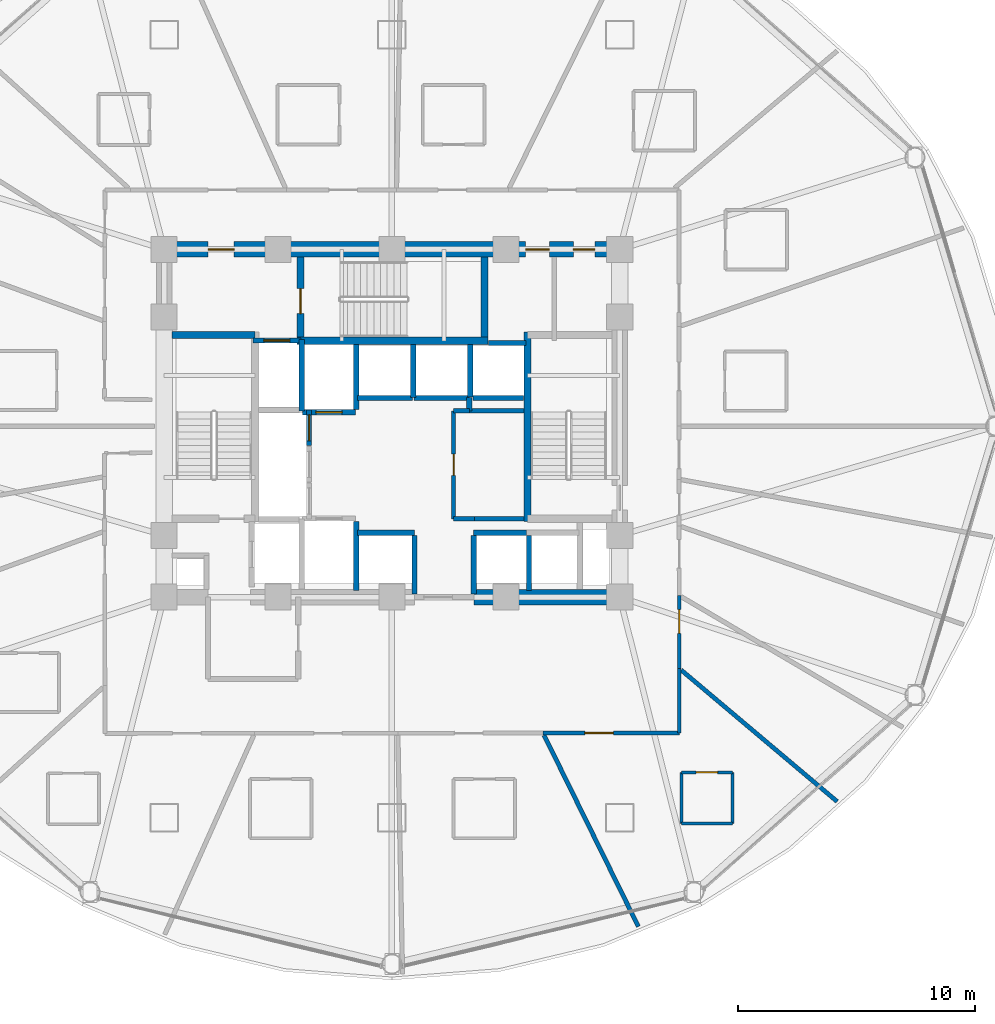
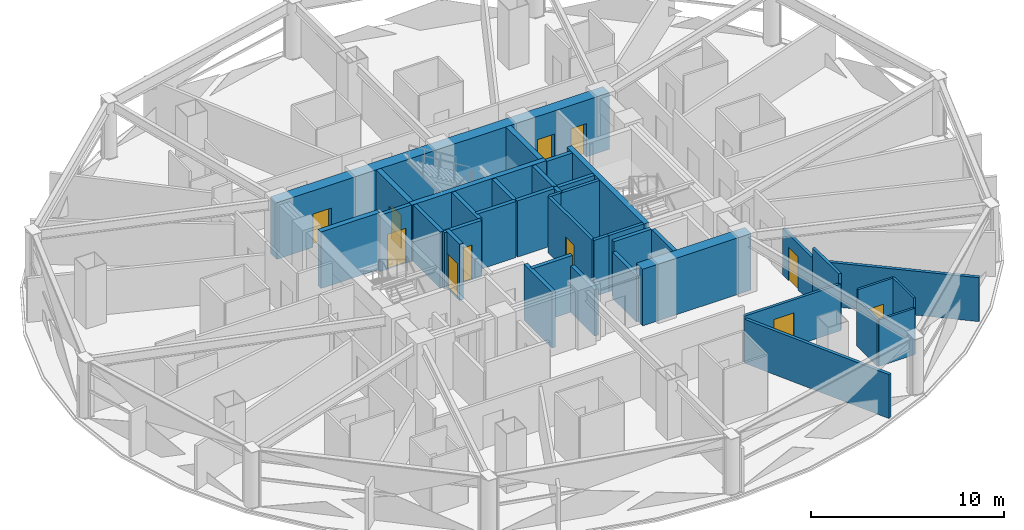
# One storey, part 25 of 31: 39 walls, 11 doors, 11 openings.
"""IFC4 building model written with IfcOpenShell, lengths in metres."""

from ifc_helpers import new_model, si_unit, direction, frame, frame_2d, origin, place, context, subcontext, project, spatial, rectangle, extrude, material, layer, layer_set, type_object, element, fill, save


model = new_model("IFC4")

# Units and contexts
model_context = context("Model", 3, precision=1e-05, world=origin(), true_north=direction((0.0, 1.0)))
body_context = subcontext(model_context, "Body", "Model", "MODEL_VIEW")
ifc_project = project(units=[si_unit("LENGTHUNIT", "METRE"), si_unit("AREAUNIT", "SQUARE_METRE"), si_unit("VOLUMEUNIT", "CUBIC_METRE"), si_unit("PLANEANGLEUNIT", "RADIAN"), si_unit("MASSUNIT", "GRAM", prefix="KILO")], contexts=[model_context])

# Site, building, storey
site_placement = place(None, origin())
site = spatial("IfcSite", under=ifc_project, at=site_placement, CompositionType="ELEMENT")
building_placement = place(site_placement, origin())
building = spatial("IfcBuilding", under=site, at=building_placement, Name="Vantalir Tower", CompositionType="ELEMENT")
storey_placement = place(building_placement, frame((0.0, 0.0, 30.75)))
storey = spatial("IfcBuildingStorey", under=building, at=storey_placement, Name="L06", CompositionType="ELEMENT", Elevation=30.75)

# Wall
ifc_material_1 = material(Name="Moisture-resistant en-suite partition", Category="gypsum")
ifc_layer_1 = layer(ifc_material_1, 0.125)
ifc_layer_set_1 = layer_set([ifc_layer_1], Name="Moisture-resistant en-suite partition")
wall_type_1 = type_object("IfcWallType", Name="WL-BATH-125", PredefinedType="PARTITIONING", material=ifc_layer_set_1)
wall_1_placement = place(storey_placement, frame((43.697021484375, 8.262939453125, 0.0), z_axis=(0.0, 0.0, 1.0), x_axis=(1.0, 0.0, 0.0)))
element("IfcWall", 1, at=wall_1_placement, inside=storey, type_object=wall_type_1, Name="L06 En-suite 16 South Wall", PredefinedType="PARTITIONING", context=body_context, shape_type="SweptSolid", body=[
    extrude(rectangle(XDim=2.14990234375, YDim=0.125, at=frame_2d((1.074951171875, 0.0))), origin(), (0.0, 0.0, 1.0), 2.927978515625),
])

# Wall, opening, door
wall_2_placement = place(storey_placement, frame((43.697021484375, 10.4130859375, 0.0), z_axis=(0.0, 0.0, 1.0), x_axis=(1.0, 0.0, 0.0)))
wall_2 = element("IfcWall", 2, at=wall_2_placement, inside=storey, type_object=wall_type_1, Name="L06 En-suite 16 North Wall", PredefinedType="PARTITIONING", context=body_context, shape_type="SweptSolid", body=[
    extrude(rectangle(XDim=2.14990234375, YDim=0.125, at=frame_2d((1.074951171875, 0.0))), origin(), (0.0, 0.0, 1.0), 3.550048828125),
])
opening_1_placement = place(wall_2_placement, frame((0.625, 0.0, 0.0)))
opening_1 = element("IfcOpeningElement", 3, at=opening_1_placement, cuts=wall_2, Name="Opening D-WC", PredefinedType="OPENING", context=body_context, shape_type="SweptSolid", body=[
    extrude(rectangle(XDim=0.89990234375, YDim=2.10009765625, at=frame_2d((0.449951171875, 1.050048828125))), frame((0.0, 0.072509765625, 0.0), z_axis=(0.0, -1.0, 0.0), x_axis=(1.0, 0.0, 0.0)), (0.0, 0.0, 1.0), 0.14501953125),
])
ifc_material_2 = material(Name="Moisture-resistant hardwood door", Category="wood")
door_type_1 = type_object("IfcDoorType", Name="DR-ENSUITE-900", OperationType="NOTDEFINED", PredefinedType="DOOR", material=ifc_material_2)
door_1_placement = place(opening_1_placement, frame((0.89990234375, 0.0, 0.0), z_axis=(0.0, 0.0, 1.0), x_axis=(-1.0, 0.0, 0.0)))
door_1 = element("IfcDoor", 4, at=door_1_placement, inside=storey, type_object=door_type_1, Name="L06 En-suite 16 Door", OperationType="SINGLE_SWING_LEFT", OverallHeight=2.10009765625, OverallWidth=0.89990234375, PredefinedType="DOOR", context=body_context, shape_type="SweptSolid", body=[
    extrude(rectangle(XDim=0.89990234375, YDim=2.10009765625, at=frame_2d((0.449951171875, 1.050048828125))), frame((0.0, 0.02490234375, 0.0), z_axis=(0.0, -1.0, 0.0), x_axis=(1.0, 0.0, 0.0)), (0.0, 0.0, 1.0), 0.050048828125),
])
fill(opening_1, door_1)

# Walls
wall_3_placement = place(storey_placement, frame((43.697021484375, 8.262939453125, 0.0), z_axis=(0.0, 0.0, 1.0), x_axis=(0.0, 1.0, 0.0)))
element("IfcWall", 5, at=wall_3_placement, inside=storey, type_object=wall_type_1, Name="L06 En-suite 16 West Wall", PredefinedType="PARTITIONING", context=body_context, shape_type="SweptSolid", body=[
    extrude(rectangle(XDim=2.150146484375, YDim=0.125, at=frame_2d((1.0751953125, 0.0))), origin(), (0.0, 0.0, 1.0), 2.927978515625),
])
wall_4_placement = place(storey_placement, frame((45.846923828125, 8.262939453125, 0.0), z_axis=(0.0, 0.0, 1.0), x_axis=(0.0, 1.0, 0.0)))
element("IfcWall", 6, at=wall_4_placement, inside=storey, type_object=wall_type_1, Name="L06 En-suite 16 East Wall", PredefinedType="PARTITIONING", context=body_context, shape_type="SweptSolid", body=[
    extrude(rectangle(XDim=2.150146484375, YDim=0.125, at=frame_2d((1.0751953125, 0.0))), origin(), (0.0, 0.0, 1.0), 3.550048828125),
])
ifc_material_3 = material(Name="Concrete C60/75", Category="concrete")
ifc_layer_2 = layer(ifc_material_3, 0.64990234375)
ifc_layer_set_2 = layer_set([ifc_layer_2], Name="Concrete C60/75")
wall_type_2 = type_object("IfcWallType", Name="WL-CORE-650", PredefinedType="SHEAR", material=ifc_layer_set_2)
wall_5_placement = place(storey_placement, frame((34.949951171875, 17.800048828125, 0.0), z_axis=(0.0, 0.0, 1.0), x_axis=(1.0, 0.0, 0.0)))
element("IfcWall", 7, at=wall_5_placement, inside=storey, type_object=wall_type_2, Name="L06 Core Shear Wall South-East", PredefinedType="SHEAR", context=body_context, shape_type="SweptSolid", body=[
    extrude(rectangle(XDim=6.47509765625, YDim=0.64990234375, at=frame_2d((3.237548828125, 0.0))), origin(), (0.0, 0.0, 1.0), 3.570068359375),
])

# Wall, openings, doors
wall_6_placement = place(storey_placement, frame((21.574951171875, 32.449951171875, 0.0), z_axis=(0.0, 0.0, 1.0), x_axis=(1.0, 0.0, 0.0)))
wall_6 = element("IfcWall", 8, at=wall_6_placement, inside=storey, type_object=wall_type_2, Name="L06 Core Shear Wall North", PredefinedType="SHEAR", context=body_context, shape_type="SweptSolid", body=[
    extrude(rectangle(XDim=19.85009765625, YDim=0.64990234375, at=frame_2d((9.925048828125, 0.0))), origin(), (0.0, 0.0, 1.0), 3.570068359375),
])
opening_2_placement = place(wall_6_placement, frame((2.175048828125, 0.0, 0.0)))
opening_2 = element("IfcOpeningElement", 9, at=opening_2_placement, cuts=wall_6, Name="Opening D-FFL", PredefinedType="OPENING", context=body_context, shape_type="SweptSolid", body=[
    extrude(rectangle(XDim=1.10009765625, YDim=2.10009765625, at=frame_2d((0.550048828125, 1.050048828125))), frame((0.0, 0.3349609375, 0.0), z_axis=(0.0, -1.0, 0.0), x_axis=(1.0, 0.0, 0.0)), (0.0, 0.0, 1.0), 0.669921875),
])
opening_3_placement = place(wall_6_placement, frame((15.56494140625, 0.0, 0.0)))
opening_3 = element("IfcOpeningElement", 10, at=opening_3_placement, cuts=wall_6, Name="Opening D-GUEST", PredefinedType="OPENING", context=body_context, shape_type="SweptSolid", body=[
    extrude(rectangle(XDim=1.0, YDim=2.10009765625, at=frame_2d((0.5, 1.050048828125))), frame((0.0, 0.3349609375, 0.0), z_axis=(0.0, -1.0, 0.0), x_axis=(1.0, 0.0, 0.0)), (0.0, 0.0, 1.0), 0.669921875),
])
opening_4_placement = place(wall_6_placement, frame((17.574951171875, 0.0, 0.0)))
opening_4 = element("IfcOpeningElement", 11, at=opening_4_placement, cuts=wall_6, Name="Opening D-CR", PredefinedType="OPENING", context=body_context, shape_type="SweptSolid", body=[
    extrude(rectangle(XDim=0.89990234375, YDim=2.10009765625, at=frame_2d((0.449951171875, 1.050048828125))), frame((0.0, 0.3349609375, 0.0), z_axis=(0.0, -1.0, 0.0), x_axis=(1.0, 0.0, 0.0)), (0.0, 0.0, 1.0), 0.669921875),
])
ifc_material_4 = material(Name="Fire-rated steel core service door", Category="steel")
door_type_2 = type_object("IfcDoorType", Name="DR-CORE-SERV-900", OperationType="NOTDEFINED", PredefinedType="DOOR", material=ifc_material_4)
door_2_placement = place(opening_4_placement, frame((0.89990234375, 0.0, 0.0), z_axis=(0.0, 0.0, 1.0), x_axis=(-1.0, 0.0, 0.0)))
door_2 = element("IfcDoor", 12, at=door_2_placement, inside=storey, type_object=door_type_2, Name="L06 Housekeeping and Linen Room Door", OperationType="SINGLE_SWING_RIGHT", OverallHeight=2.10009765625, OverallWidth=0.89990234375, PredefinedType="DOOR", context=body_context, shape_type="SweptSolid", body=[
    extrude(rectangle(XDim=0.89990234375, YDim=2.10009765625, at=frame_2d((0.449951171875, 1.050048828125))), frame((0.0, 0.02490234375, 0.0), z_axis=(0.0, -1.0, 0.0), x_axis=(1.0, 0.0, 0.0)), (0.0, 0.0, 1.0), 0.050048828125),
])
fill(opening_4, door_2)
ifc_material_5 = material(Name="Fire-rated acoustic steel door", Category="steel")
door_type_3 = type_object("IfcDoorType", Name="DR-FIRE-LOBBY-1100", OperationType="NOTDEFINED", PredefinedType="DOOR", material=ifc_material_5)
door_3_placement = place(opening_2_placement, frame((1.10009765625, 0.0, 0.0), z_axis=(0.0, 0.0, 1.0), x_axis=(-1.0, 0.0, 0.0)))
door_3 = element("IfcDoor", 13, at=door_3_placement, inside=storey, type_object=door_type_3, Name="L06 Firefighting Lobby East Access Door", OperationType="SINGLE_SWING_RIGHT", OverallHeight=2.10009765625, OverallWidth=1.10009765625, PredefinedType="DOOR", context=body_context, shape_type="SweptSolid", body=[
    extrude(rectangle(XDim=1.10009765625, YDim=2.10009765625, at=frame_2d((0.550048828125, 1.050048828125))), frame((0.0, 0.02490234375, 0.0), z_axis=(0.0, -1.0, 0.0), x_axis=(1.0, 0.0, 0.0)), (0.0, 0.0, 1.0), 0.050048828125),
])
fill(opening_2, door_3)
ifc_material_6 = material(Name="Solid-core teak veneer acoustic fire door", Category="wood")
door_type_4 = type_object("IfcDoorType", Name="DR-GUEST-ENTRY-1000", OperationType="NOTDEFINED", PredefinedType="DOOR", material=ifc_material_6)
door_4_placement = place(opening_3_placement, frame((1.0, 0.0, 0.0), z_axis=(0.0, 0.0, 1.0), x_axis=(-1.0, 0.0, 0.0)))
door_4 = element("IfcDoor", 14, at=door_4_placement, inside=storey, type_object=door_type_4, Name="L06 High-Rise Lift Lobby Door", OperationType="SINGLE_SWING_LEFT", OverallHeight=2.10009765625, OverallWidth=1.0, PredefinedType="DOOR", context=body_context, shape_type="SweptSolid", body=[
    extrude(rectangle(XDim=1.0, YDim=2.10009765625, at=frame_2d((0.5, 1.050048828125))), frame((0.0, 0.02490234375, 0.0), z_axis=(0.0, -1.0, 0.0), x_axis=(1.0, 0.0, 0.0)), (0.0, 0.0, 1.0), 0.050048828125),
])
fill(opening_3, door_4)

# Wall, opening, door
ifc_material_7 = material(Name="Fire-rated hotel corridor acoustic partition", Category="gypsum")
ifc_layer_3 = layer(ifc_material_7, 0.159912109375)
ifc_layer_set_3 = layer_set([ifc_layer_3], Name="Fire-rated hotel corridor acoustic partition")
wall_type_3 = type_object("IfcWallType", Name="WL-CORR-160", PredefinedType="PARTITIONING", material=ifc_layer_set_3)
wall_7_placement = place(storey_placement, frame((43.60595703125, 17.865966796875, 0.0), z_axis=(0.0, 0.0, 1.0), x_axis=(0.00063557626, -0.999999798021, 0.0)))
wall_7 = element("IfcWall", 15, at=wall_7_placement, inside=storey, type_object=wall_type_3, Name="L06 Corridor Partition 15", PredefinedType="PARTITIONING", context=body_context, shape_type="SweptSolid", body=[
    extrude(rectangle(XDim=3.072998046875, YDim=0.159912109375, at=frame_2d((1.53662109375, 0.0))), origin(), (0.0, 0.0, 1.0), 2.927978515625),
])
opening_5_placement = place(wall_7_placement, frame((0.597900390625, 0.0, 0.0)))
opening_5 = element("IfcOpeningElement", 16, at=opening_5_placement, cuts=wall_7, Name="Opening D-GUEST", PredefinedType="OPENING", context=body_context, shape_type="SweptSolid", body=[
    extrude(rectangle(XDim=1.0, YDim=2.10009765625, at=frame_2d((0.5, 1.050048828125))), frame((0.0, 0.08984375, 0.0), z_axis=(0.0, -1.0, 0.0), x_axis=(1.0, 0.0, 0.0)), (0.0, 0.0, 1.0), 0.179931640625),
])
door_5_placement = place(opening_5_placement, origin())
door_5 = element("IfcDoor", 17, at=door_5_placement, inside=storey, type_object=door_type_4, Name="L06 Executive Business Study 17 Door", OperationType="SINGLE_SWING_LEFT", OverallHeight=2.10009765625, OverallWidth=1.0, PredefinedType="DOOR", context=body_context, shape_type="SweptSolid", body=[
    extrude(rectangle(XDim=1.0, YDim=2.10009765625, at=frame_2d((0.5, 1.050048828125))), frame((0.0, 0.02490234375, 0.0), z_axis=(0.0, -1.0, 0.0), x_axis=(1.0, 0.0, 0.0)), (0.0, 0.0, 1.0), 0.050048828125),
])
fill(opening_5, door_5)

# Wall
wall_8_placement = place(storey_placement, frame((43.60791015625, 14.79296875, 0.0), z_axis=(0.0, 0.0, 1.0), x_axis=(0.000807247024, -0.999999674176, 0.0)))
element("IfcWall", 18, at=wall_8_placement, inside=storey, type_object=wall_type_3, Name="L06 Corridor Partition 16", PredefinedType="PARTITIONING", context=body_context, shape_type="SweptSolid", body=[
    extrude(rectangle(XDim=2.721923828125, YDim=0.159912109375, at=frame_2d((1.36083984375, 0.0))), origin(), (0.0, 0.0, 1.0), 3.550048828125),
])

# Wall, opening, door
wall_9_placement = place(storey_placement, frame((43.610107421875, 12.071044921875, 0.0), z_axis=(0.0, 0.0, 1.0), x_axis=(-0.999999738588, -0.00072306561, 0.0)))
wall_9 = element("IfcWall", 19, at=wall_9_placement, inside=storey, type_object=wall_type_3, Name="L06 Corridor Partition 17", PredefinedType="PARTITIONING", context=body_context, shape_type="SweptSolid", body=[
    extrude(rectangle(XDim=5.739990234375, YDim=0.159912109375, at=frame_2d((2.8701171875, 0.0))), origin(), (0.0, 0.0, 1.0), 2.927978515625),
])
opening_6_placement = place(wall_9_placement, frame((2.779052734375, 0.0, 0.0)))
opening_6 = element("IfcOpeningElement", 20, at=opening_6_placement, cuts=wall_9, Name="Opening D-STE", PredefinedType="OPENING", context=body_context, shape_type="SweptSolid", body=[
    extrude(rectangle(XDim=1.199951171875, YDim=2.10009765625, at=frame_2d((0.60009765625, 1.050048828125))), frame((0.0, 0.08984375, 0.0), z_axis=(0.0, -1.0, 0.0), x_axis=(1.0, 0.0, 0.0)), (0.0, 0.0, 1.0), 0.179931640625),
])
ifc_material_8 = material(Name="Solid-core teak veneer suite entrance door", Category="wood")
door_type_5 = type_object("IfcDoorType", Name="DR-SUITE-ENTRY-1200", OperationType="NOTDEFINED", PredefinedType="DOOR", material=ifc_material_8)
door_6_placement = place(opening_6_placement, origin())
door_6 = element("IfcDoor", 21, at=door_6_placement, inside=storey, type_object=door_type_5, Name="L06 Executive Club Hotel Suite 16 Door", OperationType="SINGLE_SWING_RIGHT", OverallHeight=2.10009765625, OverallWidth=1.199951171875, PredefinedType="DOOR", context=body_context, shape_type="SweptSolid", body=[
    extrude(rectangle(XDim=1.199951171875, YDim=2.10009765625, at=frame_2d((0.60009765625, 1.050048828125))), frame((0.0, 0.02490234375, 0.0), z_axis=(0.0, -1.0, 0.0), x_axis=(1.0, 0.0, 0.0)), (0.0, 0.0, 1.0), 0.050048828125),
])
fill(opening_6, door_6)

# Walls
ifc_material_9 = material(Name="Concrete blockwork with fireboard lining", Category="masonry")
ifc_layer_4 = layer(ifc_material_9, 0.219970703125)
ifc_layer_set_4 = layer_set([ifc_layer_4], Name="Concrete blockwork with fireboard lining")
wall_type_4 = type_object("IfcWallType", Name="WL-FFL-220", PredefinedType="PARTITIONING", material=ifc_layer_set_4)
wall_10_placement = place(storey_placement, frame((30.0, 18.080078125, 0.0), z_axis=(0.0, 0.0, 1.0), x_axis=(0.0, 1.0, 0.0)))
element("IfcWall", 22, at=wall_10_placement, inside=storey, type_object=wall_type_4, Name="L06 Service Lift SV1 East Shaft Wall", PredefinedType="PARTITIONING", context=body_context, shape_type="SweptSolid", body=[
    extrude(rectangle(XDim=2.89990234375, YDim=0.219970703125, at=frame_2d((1.449951171875, 0.0))), origin(), (0.0, 0.0, 1.0), 3.544921875),
])
for number, where, z_axis, x_axis, name in (
    (23, (32.449951171875, 17.919921875, 0.0), (0.0, 0.0, 1.0), (0.0, 1.0, 0.0), "L06 Shuttle Lift PL-X1 East Shaft Cheek"),
    (24, (34.949951171875, 17.919921875, 0.0), (0.0, 0.0, 1.0), (0.0, 1.0, 0.0), "L06 Shuttle Lift PL-X3 West Shaft Cheek"),
):
    element("IfcWall", number, at=place(storey_placement, frame(where, z_axis=z_axis, x_axis=x_axis)), inside=storey, type_object=wall_type_4, Name=name, PredefinedType="PARTITIONING", context=body_context, shape_type="SweptSolid", body=[
        extrude(rectangle(XDim=2.469970703125, YDim=0.219970703125, at=frame_2d((1.23486328125, 0.0))), origin(), (0.0, 0.0, 1.0), 2.927978515625),
    ])
wall_11_placement = place(storey_placement, frame((37.27490234375, 18.080078125, 0.0), z_axis=(0.0, 0.0, 1.0), x_axis=(0.0, 1.0, 0.0)))
element("IfcWall", 25, at=wall_11_placement, inside=storey, type_object=wall_type_4, Name="L06 Shuttle Lift PL-X2/X3 Shaft Divider", PredefinedType="PARTITIONING", context=body_context, shape_type="SweptSolid", body=[
    extrude(rectangle(XDim=2.309814453125, YDim=0.219970703125, at=frame_2d((1.15478515625, 0.0))), origin(), (0.0, 0.0, 1.0), 3.544921875),
])
wall_12_placement = place(storey_placement, frame((30.0, 25.7099609375, 0.0), z_axis=(0.0, 0.0, 1.0), x_axis=(0.0, 1.0, 0.0)))
element("IfcWall", 26, at=wall_12_placement, inside=storey, type_object=wall_type_4, Name="L06 Service Lift SV2 East Shaft Wall", PredefinedType="PARTITIONING", context=body_context, shape_type="SweptSolid", body=[
    extrude(rectangle(XDim=2.72998046875, YDim=0.219970703125, at=frame_2d((1.364990234375, 0.0))), origin(), (0.0, 0.0, 1.0), 3.544921875),
])
wall_13_placement = place(storey_placement, frame((32.39990234375, 26.199951171875, 0.0), z_axis=(0.0, 0.0, 1.0), x_axis=(0.0, 1.0, 0.0)))
element("IfcWall", 27, at=wall_13_placement, inside=storey, type_object=wall_type_4, Name="L06 High-Rise Lift PL-H1/H2 Shaft Divider", PredefinedType="PARTITIONING", context=body_context, shape_type="SweptSolid", body=[
    extrude(rectangle(XDim=2.239990234375, YDim=0.219970703125, at=frame_2d((1.1201171875, 0.0))), origin(), (0.0, 0.0, 1.0), 3.544921875),
])
wall_14_placement = place(storey_placement, frame((34.800048828125, 26.22998046875, 0.0), z_axis=(0.0, 0.0, 1.0), x_axis=(0.0, 1.0, 0.0)))
element("IfcWall", 28, at=wall_14_placement, inside=storey, type_object=wall_type_4, Name="L06 High-Rise Lift PL-H2/H3 Shaft Divider", PredefinedType="PARTITIONING", context=body_context, shape_type="SweptSolid", body=[
    extrude(rectangle(XDim=2.2099609375, YDim=0.219970703125, at=frame_2d((1.10498046875, 0.0))), origin(), (0.0, 0.0, 1.0), 3.544921875),
])
wall_15_placement = place(storey_placement, frame((34.909912109375, 26.18994140625, 0.0), z_axis=(0.0, 0.0, 1.0), x_axis=(1.0, 0.0, 0.0)))
element("IfcWall", 29, at=wall_15_placement, inside=storey, type_object=wall_type_4, Name="L06 High-Rise Lift PL-H3 Rear Shaft Wall", PredefinedType="PARTITIONING", context=body_context, shape_type="SweptSolid", body=[
    extrude(rectangle(XDim=2.14013671875, YDim=0.219970703125, at=frame_2d((1.070068359375, 0.0))), origin(), (0.0, 0.0, 1.0), 3.544921875),
])

# Wall, opening, door
wall_16_placement = place(storey_placement, frame((25.639892578125, 28.610107421875, 0.0), z_axis=(0.0, 0.0, 1.0), x_axis=(1.0, 0.0, 0.0)))
wall_16 = element("IfcWall", 30, at=wall_16_placement, inside=storey, type_object=wall_type_4, Name="L06 Lift FL2 Shaft Front Wall", PredefinedType="PARTITIONING", context=body_context, shape_type="SweptSolid", body=[
    extrude(rectangle(XDim=2.02001953125, YDim=0.219970703125, at=frame_2d((1.010009765625, 0.0))), origin(), (0.0, 0.0, 1.0), 3.550048828125),
])
opening_7_placement = place(wall_16_placement, frame((0.4599609375, 0.0, 0.0)))
opening_7 = element("IfcOpeningElement", 31, at=opening_7_placement, cuts=wall_16, Name="Opening LD-FL2", PredefinedType="OPENING", context=body_context, shape_type="SweptSolid", body=[
    extrude(rectangle(XDim=1.10009765625, YDim=2.199951171875, at=frame_2d((0.550048828125, 1.10009765625))), frame((0.0, 0.119873046875, 0.0), z_axis=(0.0, -1.0, 0.0), x_axis=(1.0, 0.0, 0.0)), (0.0, 0.0, 1.0), 0.239990234375),
])
ifc_material_10 = material(Name="Brushed stainless-steel sliding lift landing door", Category="steel")
door_type_6 = type_object("IfcDoorType", Name="DR-LIFT-LANDING-1100", OperationType="DOUBLE_DOOR_SLIDING", PredefinedType="DOOR", material=ifc_material_10)
door_7_placement = place(opening_7_placement, origin())
door_7 = element("IfcDoor", 32, at=door_7_placement, inside=storey, type_object=door_type_6, Name="L06 Lift Landing Door FL2", OperationType="DOUBLE_DOOR_SLIDING", OverallHeight=2.199951171875, OverallWidth=1.10009765625, PredefinedType="DOOR", context=body_context, shape_type="SweptSolid", body=[
    extrude(rectangle(XDim=1.10009765625, YDim=2.199951171875, at=frame_2d((0.550048828125, 1.10009765625))), frame((0.0, 0.02490234375, 0.0), z_axis=(0.0, -1.0, 0.0), x_axis=(1.0, 0.0, 0.0)), (0.0, 0.0, 1.0), 0.050048828125),
])
fill(opening_7, door_7)

wall_17_placement = place(storey_placement, frame((27.739990234375, 25.590087890625, 0.0), z_axis=(0.0, 0.0, 1.0), x_axis=(1.0, 0.0, 0.0)))
wall_17 = element("IfcWall", 33, at=wall_17_placement, inside=storey, type_object=wall_type_4, Name="L06 Lift SV2 Shaft Front Wall", PredefinedType="PARTITIONING", context=body_context, shape_type="SweptSolid", body=[
    extrude(rectangle(XDim=2.219970703125, YDim=0.219970703125, at=frame_2d((1.10986328125, 0.0))), origin(), (0.0, 0.0, 1.0), 3.550048828125),
])
opening_8_placement = place(wall_17_placement, frame((0.56005859375, 0.0, 0.0)))
opening_8 = element("IfcOpeningElement", 34, at=opening_8_placement, cuts=wall_17, Name="Opening LD-SV2", PredefinedType="OPENING", context=body_context, shape_type="SweptSolid", body=[
    extrude(rectangle(XDim=1.10009765625, YDim=2.199951171875, at=frame_2d((0.550048828125, 1.10009765625))), frame((0.0, 0.119873046875, 0.0), z_axis=(0.0, -1.0, 0.0), x_axis=(1.0, 0.0, 0.0)), (0.0, 0.0, 1.0), 0.239990234375),
])
door_8_placement = place(opening_8_placement, frame((1.10009765625, 0.0, 0.0), z_axis=(0.0, 0.0, 1.0), x_axis=(-1.0, 0.0, 0.0)))
door_8 = element("IfcDoor", 35, at=door_8_placement, inside=storey, type_object=door_type_6, Name="L06 Lift Landing Door SV2", OperationType="DOUBLE_DOOR_SLIDING", OverallHeight=2.199951171875, OverallWidth=1.10009765625, PredefinedType="DOOR", context=body_context, shape_type="SweptSolid", body=[
    extrude(rectangle(XDim=1.10009765625, YDim=2.199951171875, at=frame_2d((0.550048828125, 1.10009765625))), frame((0.0, 0.02490234375, 0.0), z_axis=(0.0, -1.0, 0.0), x_axis=(1.0, 0.0, 0.0)), (0.0, 0.0, 1.0), 0.050048828125),
])
fill(opening_8, door_8)

# Walls
wall_18_placement = place(storey_placement, frame((30.0400390625, 20.510009765625, 0.0), z_axis=(0.0, 0.0, 1.0), x_axis=(1.0, 0.0, 0.0)))
element("IfcWall", 36, at=wall_18_placement, inside=storey, type_object=wall_type_4, Name="L06 Lift PL-X1 Shaft Front Wall", PredefinedType="PARTITIONING", context=body_context, shape_type="SweptSolid", body=[
    extrude(rectangle(XDim=2.419921875, YDim=0.219970703125, at=frame_2d((1.2099609375, 0.0))), origin(), (0.0, 0.0, 1.0), 3.550048828125),
])
wall_19_placement = place(storey_placement, frame((34.93994140625, 20.510009765625, 0.0), z_axis=(0.0, 0.0, 1.0), x_axis=(1.0, 0.0, 0.0)))
element("IfcWall", 37, at=wall_19_placement, inside=storey, type_object=wall_type_4, Name="L06 Lift PL-X3 Shaft Front Wall", PredefinedType="PARTITIONING", context=body_context, shape_type="SweptSolid", body=[
    extrude(rectangle(XDim=2.239990234375, YDim=0.219970703125, at=frame_2d((1.1201171875, 0.0))), origin(), (0.0, 0.0, 1.0), 3.550048828125),
])
for number, where, z_axis, x_axis, name in (
    (38, (30.0400390625, 26.18994140625, 0.0), (0.0, 0.0, 1.0), (1.0, 0.0, 0.0), "L06 Lift PL-H1 Shaft Front Wall"),
    (39, (32.43994140625, 26.18994140625, 0.0), (0.0, 0.0, 1.0), (1.0, 0.0, 0.0), "L06 Lift PL-H2 Shaft Front Wall"),
):
    element("IfcWall", number, at=place(storey_placement, frame(where, z_axis=z_axis, x_axis=x_axis)), inside=storey, type_object=wall_type_4, Name=name, PredefinedType="PARTITIONING", context=body_context, shape_type="SweptSolid", body=[
        extrude(rectangle(XDim=2.320068359375, YDim=0.219970703125, at=frame_2d((1.16015625, 0.0))), origin(), (0.0, 0.0, 1.0), 3.550048828125),
    ])
wall_20_placement = place(storey_placement, frame((35.56005859375, 28.510009765625, 0.0), z_axis=(0.0, 0.0, 1.0), x_axis=(1.0, 0.0, 0.0)))
element("IfcWall", 40, at=wall_20_placement, inside=storey, type_object=wall_type_4, Name="L06 Lift PL-H3 Shaft Front Wall", PredefinedType="PARTITIONING", context=body_context, shape_type="SweptSolid", body=[
    extrude(rectangle(XDim=1.599853515625, YDim=0.219970703125, at=frame_2d((0.7998046875, 0.0))), origin(), (0.0, 0.0, 1.0), 3.550048828125),
])

# Wall, opening, door
wall_21_placement = place(storey_placement, frame((28.010009765625, 24.179931640625, 0.0), z_axis=(0.0, 0.0, 1.0), x_axis=(0.0, 1.0, 0.0)))
wall_21 = element("IfcWall", 41, at=wall_21_placement, inside=storey, type_object=wall_type_4, Name="L06 Lift PL-L3 Shaft Front Wall", PredefinedType="PARTITIONING", context=body_context, shape_type="SweptSolid", body=[
    extrude(rectangle(XDim=1.5, YDim=0.219970703125, at=frame_2d((0.75, 0.0))), origin(), (0.0, 0.0, 1.0), 3.550048828125),
])
opening_9_placement = place(wall_21_placement, frame((0.199951171875, 0.0, 0.0)))
opening_9 = element("IfcOpeningElement", 42, at=opening_9_placement, cuts=wall_21, Name="Opening LD-PL-L3", PredefinedType="OPENING", context=body_context, shape_type="SweptSolid", body=[
    extrude(rectangle(XDim=1.10009765625, YDim=2.199951171875, at=frame_2d((0.550048828125, 1.10009765625))), frame((0.0, 0.119873046875, 0.0), z_axis=(0.0, -1.0, 0.0), x_axis=(1.0, 0.0, 0.0)), (0.0, 0.0, 1.0), 0.239990234375),
])
door_9_placement = place(opening_9_placement, frame((1.10009765625, 0.0, 0.0), z_axis=(0.0, 0.0, 1.0), x_axis=(-1.0, 0.0, 0.0)))
door_9 = element("IfcDoor", 43, at=door_9_placement, inside=storey, type_object=door_type_6, Name="L06 Lift Landing Door PL-L3", OperationType="DOUBLE_DOOR_SLIDING", OverallHeight=2.199951171875, OverallWidth=1.10009765625, PredefinedType="DOOR", context=body_context, shape_type="SweptSolid", body=[
    extrude(rectangle(XDim=1.10009765625, YDim=2.199951171875, at=frame_2d((0.550048828125, 1.10009765625))), frame((0.0, 0.02490234375, 0.0), z_axis=(0.0, -1.0, 0.0), x_axis=(1.0, 0.0, 0.0)), (0.0, 0.0, 1.0), 0.050048828125),
])
fill(opening_9, door_9)

# Walls
wall_22_placement = place(storey_placement, frame((27.699951171875, 25.64990234375, 0.0), z_axis=(0.0, 0.0, 1.0), x_axis=(0.0, 1.0, 0.0)))
element("IfcWall", 44, at=wall_22_placement, inside=storey, type_object=wall_type_4, Name="L06 Fire Lift FL2 Dividing Wall", PredefinedType="PARTITIONING", context=body_context, shape_type="SweptSolid", body=[
    extrude(rectangle(XDim=3.0, YDim=0.219970703125, at=frame_2d((1.5, 0.0))), origin(), (0.0, 0.0, 1.0), 3.550048828125),
])
wall_23_placement = place(storey_placement, frame((34.760009765625, 25.64990234375, 0.0), z_axis=(0.0, 0.0, 1.0), x_axis=(0.0, 1.0, 0.0)))
element("IfcWall", 45, at=wall_23_placement, inside=storey, type_object=wall_type_4, Name="L06 High-Rise Shaft Shoulder Wall", PredefinedType="PARTITIONING", context=body_context, shape_type="SweptSolid", body=[
    extrude(rectangle(XDim=0.570068359375, YDim=0.219970703125, at=frame_2d((0.28515625, 0.0))), origin(), (0.0, 0.0, 1.0), 3.550048828125),
])
ifc_material_11 = material(Name="Twin-stud acoustic fire-rated gypsum partition", Category="gypsum")
ifc_layer_5 = layer(ifc_material_11, 0.179931640625)
ifc_layer_set_5 = layer_set([ifc_layer_5], Name="Twin-stud acoustic fire-rated gypsum partition")
wall_type_5 = type_object("IfcWallType", Name="WL-GUEST-180", PredefinedType="PARTITIONING", material=ifc_layer_set_5)
wall_24_placement = place(storey_placement, frame((34.97998046875, 21.10009765625, 0.0), z_axis=(0.0, 0.0, 1.0), x_axis=(1.0, 0.0, 0.0)))
element("IfcWall", 46, at=wall_24_placement, inside=storey, type_object=wall_type_5, Name="L06 Freed East Core South Wall", PredefinedType="PARTITIONING", context=body_context, shape_type="SweptSolid", body=[
    extrude(rectangle(XDim=2.080078125, YDim=0.179931640625, at=frame_2d((1.0400390625, 0.0))), origin(), (0.0, 0.0, 1.0), 3.550048828125),
])
wall_25_placement = place(storey_placement, frame((34.719970703125, 25.64990234375, 0.0), z_axis=(0.0, 0.0, 1.0), x_axis=(1.0, 0.0, 0.0)))
element("IfcWall", 47, at=wall_25_placement, inside=storey, type_object=wall_type_5, Name="L06 Freed East Core North Wall", PredefinedType="PARTITIONING", context=body_context, shape_type="SweptSolid", body=[
    extrude(rectangle(XDim=2.340087890625, YDim=0.179931640625, at=frame_2d((1.169921875, 0.0))), origin(), (0.0, 0.0, 1.0), 3.550048828125),
])
wall_26_placement = place(storey_placement, frame((34.10009765625, 21.10009765625, 0.0), z_axis=(0.0, 0.0, 1.0), x_axis=(1.0, 0.0, 0.0)))
element("IfcWall", 48, at=wall_26_placement, inside=storey, type_object=wall_type_5, Name="L06 East Core Room South Return", PredefinedType="PARTITIONING", context=body_context, shape_type="SweptSolid", body=[
    extrude(rectangle(XDim=0.8798828125, YDim=0.179931640625, at=frame_2d((0.43994140625, 0.0))), origin(), (0.0, 0.0, 1.0), 3.550048828125),
])
wall_27_placement = place(storey_placement, frame((34.10009765625, 25.64990234375, 0.0), z_axis=(0.0, 0.0, 1.0), x_axis=(1.0, 0.0, 0.0)))
element("IfcWall", 49, at=wall_27_placement, inside=storey, type_object=wall_type_5, Name="L06 East Core Room North Return", PredefinedType="PARTITIONING", context=body_context, shape_type="SweptSolid", body=[
    extrude(rectangle(XDim=0.659912109375, YDim=0.179931640625, at=frame_2d((0.330078125, 0.0))), origin(), (0.0, 0.0, 1.0), 3.550048828125),
])

# Wall, opening, door
wall_28_placement = place(storey_placement, frame((34.10009765625, 21.10009765625, 0.0), z_axis=(0.0, 0.0, 1.0), x_axis=(0.0, 1.0, 0.0)))
wall_28 = element("IfcWall", 50, at=wall_28_placement, inside=storey, type_object=wall_type_5, Name="L06 East Core Room West Wall", PredefinedType="PARTITIONING", context=body_context, shape_type="SweptSolid", body=[
    extrude(rectangle(XDim=4.5498046875, YDim=0.179931640625, at=frame_2d((2.27490234375, 0.0))), origin(), (0.0, 0.0, 1.0), 3.550048828125),
])
opening_10_placement = place(wall_28_placement, frame((1.824951171875, 0.0, 0.0)))
opening_10 = element("IfcOpeningElement", 51, at=opening_10_placement, cuts=wall_28, Name="Opening D-CR", PredefinedType="OPENING", context=body_context, shape_type="SweptSolid", body=[
    extrude(rectangle(XDim=0.89990234375, YDim=2.10009765625, at=frame_2d((0.449951171875, 1.050048828125))), frame((0.0, 0.099853515625, 0.0), z_axis=(0.0, -1.0, 0.0), x_axis=(1.0, 0.0, 0.0)), (0.0, 0.0, 1.0), 0.199951171875),
])
door_10_placement = place(opening_10_placement, frame((0.89990234375, 0.0, 0.0), z_axis=(0.0, 0.0, 1.0), x_axis=(-1.0, 0.0, 0.0)))
door_10 = element("IfcDoor", 52, at=door_10_placement, inside=storey, type_object=door_type_2, Name="L06 Core Linen Store Door", OperationType="SINGLE_SWING_LEFT", OverallHeight=2.10009765625, OverallWidth=0.89990234375, PredefinedType="DOOR", context=body_context, shape_type="SweptSolid", body=[
    extrude(rectangle(XDim=0.89990234375, YDim=2.10009765625, at=frame_2d((0.449951171875, 1.050048828125))), frame((0.0, 0.02490234375, 0.0), z_axis=(0.0, -1.0, 0.0), x_axis=(1.0, 0.0, 0.0)), (0.0, 0.0, 1.0), 0.050048828125),
])
fill(opening_10, door_10)

# Walls
wall_29_placement = place(storey_placement, frame((37.9150390625, 11.97509765625, 0.0), z_axis=(0.0, 0.0, 1.0), x_axis=(0.441857982185, -0.897085014689, 0.0)))
element("IfcWall", 53, at=wall_29_placement, inside=storey, type_object=wall_type_5, Name="L06 Radial Suite Partition 16", PredefinedType="PARTITIONING", context=body_context, shape_type="SweptSolid", body=[
    extrude(rectangle(XDim=8.984619140625, YDim=0.179931640625, at=frame_2d((4.4921875, 0.0))), origin(), (0.0, 0.0, 1.0), 2.77490234375),
])
wall_30_placement = place(storey_placement, frame((43.68994140625, 14.72509765625, 0.0), z_axis=(0.0, 0.0, 1.0), x_axis=(0.76456649446, -0.644544859221, 0.0)))
element("IfcWall", 54, at=wall_30_placement, inside=storey, type_object=wall_type_5, Name="L06 Radial Suite Partition 17", PredefinedType="PARTITIONING", context=body_context, shape_type="SweptSolid", body=[
    extrude(rectangle(XDim=8.598388671875, YDim=0.179931640625, at=frame_2d((4.29931640625, 0.0))), origin(), (0.0, 0.0, 1.0), 2.77490234375),
])
ifc_material_12 = material(Name="Concrete C50/60", Category="concrete")
ifc_layer_6 = layer(ifc_material_12, 0.300048828125)
ifc_layer_set_6 = layer_set([ifc_layer_6], Name="Concrete C50/60")
wall_type_6 = type_object("IfcWallType", Name="WL-STAIR-300", PredefinedType="SHEAR", material=ifc_layer_set_6)
wall_31_placement = place(storey_placement, frame((22.22509765625, 28.85009765625, 0.0), z_axis=(0.0, 0.0, 1.0), x_axis=(1.0, 0.0, 0.0)))
element("IfcWall", 55, at=wall_31_placement, inside=storey, type_object=wall_type_6, Name="L06 Stair ST1 North Wall", PredefinedType="SHEAR", context=body_context, shape_type="SweptSolid", body=[
    extrude(rectangle(XDim=3.514892578125, YDim=0.300048828125, at=frame_2d((1.75732421875, 0.0))), origin(), (0.0, 0.0, 1.0), 3.570068359375),
])
wall_32_placement = place(storey_placement, frame((37.2099609375, 20.97998046875, 0.0), z_axis=(0.0, 0.0, 1.0), x_axis=(0.0, 1.0, 0.0)))
element("IfcWall", 56, at=wall_32_placement, inside=storey, type_object=wall_type_6, Name="L06 Stair ST2 West Wall", PredefinedType="SHEAR", context=body_context, shape_type="SweptSolid", body=[
    extrude(rectangle(XDim=7.989990234375, YDim=0.300048828125, at=frame_2d((3.9951171875, 0.0))), origin(), (0.0, 0.0, 1.0), 3.570068359375),
])
wall_33_placement = place(storey_placement, frame((27.510009765625, 28.60009765625, 0.0), z_axis=(0.0, 0.0, 1.0), x_axis=(1.0, 0.0, 0.0)))
element("IfcWall", 57, at=wall_33_placement, inside=storey, type_object=wall_type_6, Name="L06 Stair ST3 South Wall", PredefinedType="SHEAR", context=body_context, shape_type="SweptSolid", body=[
    extrude(rectangle(XDim=8.030029296875, YDim=0.300048828125, at=frame_2d((4.01513671875, 0.0))), origin(), (0.0, 0.0, 1.0), 3.570068359375),
])

# Wall, opening, door
wall_34_placement = place(storey_placement, frame((27.64990234375, 28.75, 0.0), z_axis=(0.0, 0.0, 1.0), x_axis=(0.0, 1.0, 0.0)))
wall_34 = element("IfcWall", 58, at=wall_34_placement, inside=storey, type_object=wall_type_6, Name="L06 Stair ST3 West Wall", PredefinedType="SHEAR", context=body_context, shape_type="SweptSolid", body=[
    extrude(rectangle(XDim=3.375, YDim=0.300048828125, at=frame_2d((1.6875, 0.0))), origin(), (0.0, 0.0, 1.0), 3.570068359375),
])
opening_11_placement = place(wall_34_placement, frame((1.0, 0.0, 0.0)))
opening_11 = element("IfcOpeningElement", 59, at=opening_11_placement, cuts=wall_34, Name="Opening D-ST", PredefinedType="OPENING", context=body_context, shape_type="SweptSolid", body=[
    extrude(rectangle(XDim=1.050048828125, YDim=2.10009765625, at=frame_2d((0.52490234375, 1.050048828125))), frame((0.0, 0.159912109375, 0.0), z_axis=(0.0, -1.0, 0.0), x_axis=(1.0, 0.0, 0.0)), (0.0, 0.0, 1.0), 0.320068359375),
])
ifc_material_13 = material(Name="Fire-rated steel door leaf", Category="steel")
door_type_7 = type_object("IfcDoorType", Name="DR-FIRE-STAIR-1050", OperationType="NOTDEFINED", PredefinedType="DOOR", material=ifc_material_13)
door_11_placement = place(opening_11_placement, frame((1.050048828125, 0.0, 0.0), z_axis=(0.0, 0.0, 1.0), x_axis=(-1.0, 0.0, 0.0)))
door_11 = element("IfcDoor", 60, at=door_11_placement, inside=storey, type_object=door_type_7, Name="L06 Exit Stair ST3 Fire Door", OperationType="SINGLE_SWING_LEFT", OverallHeight=2.10009765625, OverallWidth=1.050048828125, PredefinedType="DOOR", context=body_context, shape_type="SweptSolid", body=[
    extrude(rectangle(XDim=1.050048828125, YDim=2.10009765625, at=frame_2d((0.52490234375, 1.050048828125))), frame((0.0, 0.02490234375, 0.0), z_axis=(0.0, -1.0, 0.0), x_axis=(1.0, 0.0, 0.0)), (0.0, 0.0, 1.0), 0.050048828125),
])
fill(opening_11, door_11)

# Wall
wall_35_placement = place(storey_placement, frame((35.39990234375, 28.75, 0.0), z_axis=(0.0, 0.0, 1.0), x_axis=(0.0, 1.0, 0.0)))
element("IfcWall", 61, at=wall_35_placement, inside=storey, type_object=wall_type_6, Name="L06 Stair ST3 East Wall", PredefinedType="SHEAR", context=body_context, shape_type="SweptSolid", body=[
    extrude(rectangle(XDim=3.375, YDim=0.300048828125, at=frame_2d((1.6875, 0.0))), origin(), (0.0, 0.0, 1.0), 3.570068359375),
])

save(model, "model.ifc")
